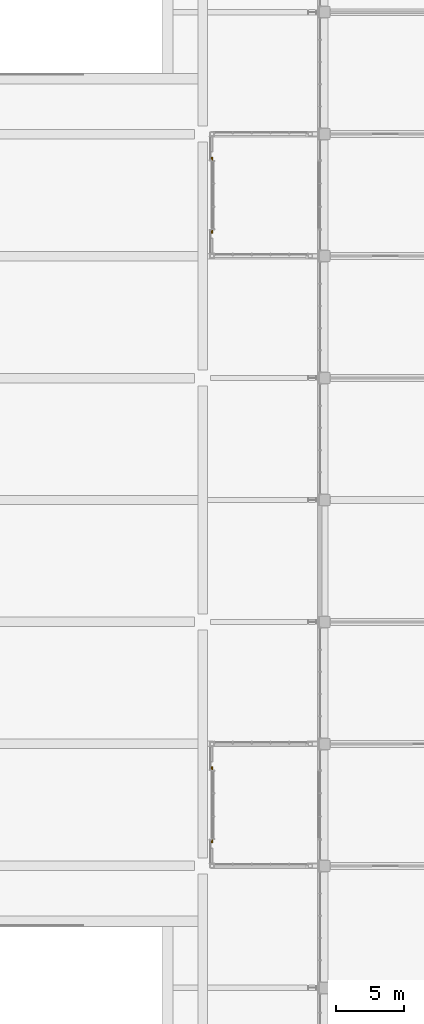
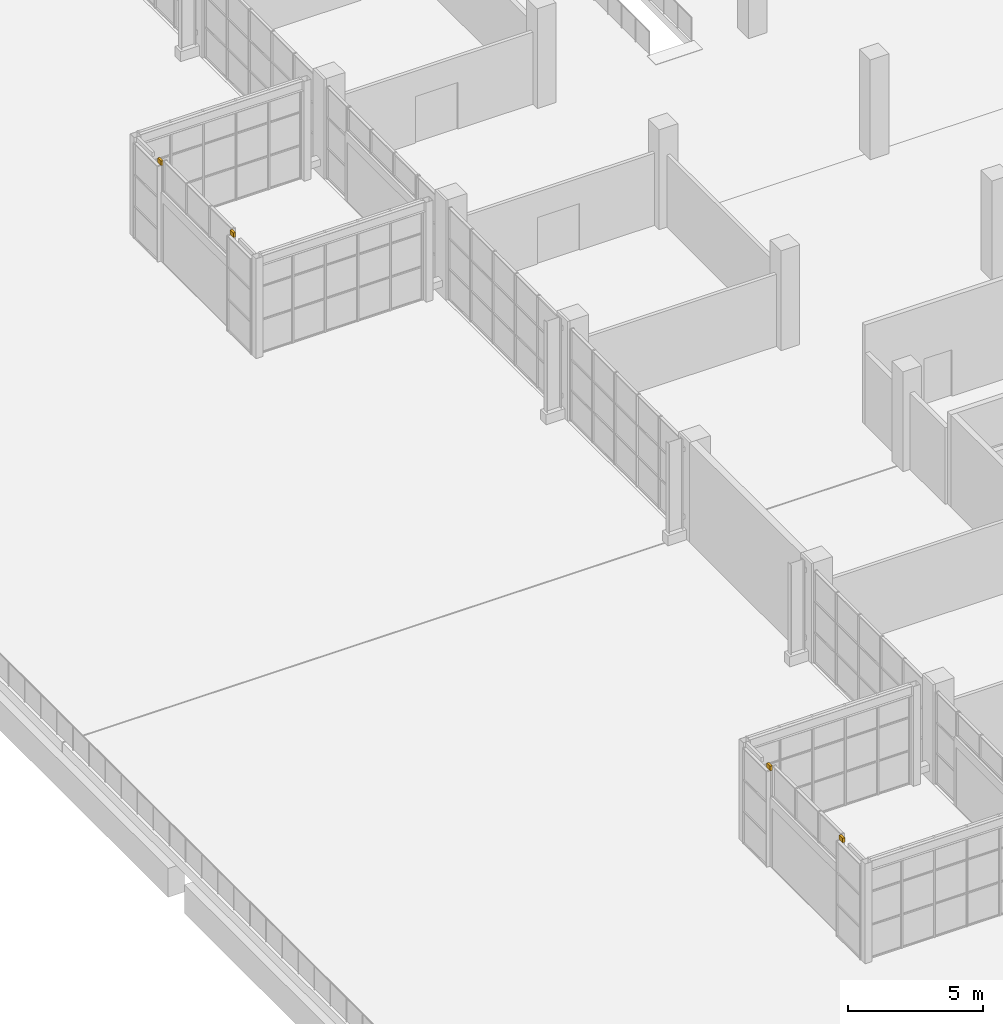
# One storey, part 168 of 168: 4 coverings.
"""IFC4 building model written with IfcOpenShell, lengths in metres."""

from ifc_helpers import new_model, si_unit, direction, frame, origin, place, context, subcontext, project, spatial, polyline, outline, extrude, material, layer, layer_set, type_object, element, save


model = new_model("IFC4")

# Units and contexts
model_context = context("Model", 3, precision=1e-05, world=origin(), true_north=direction((0.0, 1.0)))
body_context = subcontext(model_context, "Body", "Model", "MODEL_VIEW")
ifc_project = project(units=[si_unit("LENGTHUNIT", "METRE"), si_unit("AREAUNIT", "SQUARE_METRE"), si_unit("VOLUMEUNIT", "CUBIC_METRE"), si_unit("PLANEANGLEUNIT", "RADIAN"), si_unit("MASSUNIT", "GRAM", prefix="KILO")], contexts=[model_context])

# Site, building, storey
site_placement = place(None, origin())
site = spatial("IfcSite", under=ifc_project, at=site_placement, CompositionType="ELEMENT")
building_placement = place(site_placement, origin())
building = spatial("IfcBuilding", under=site, at=building_placement, Name="Silverbay Arena", CompositionType="ELEMENT")
storey_placement = place(building_placement, frame((0.0, 0.0, 7.0)))
storey = spatial("IfcBuildingStorey", under=building, at=storey_placement, Name="L01", CompositionType="ELEMENT", Elevation=7.0)

# Coverings
ifc_material = material(Name="Aluminium composite cladding", Category="aluminium")
ifc_layer = layer(ifc_material, 0.10009765625)
ifc_layer_set = layer_set([ifc_layer], Name="Aluminium composite cladding")
covering_type = type_object("IfcCoveringType", Name="Canopy band cladding 100", PredefinedType="CLADDING", material=ifc_layer_set)
covering_1_placement = place(storey_placement, frame((0.0, 0.0, 4.300048828125)))
element("IfcCovering", 1, at=covering_1_placement, inside=storey, type_object=covering_type, Name="Canopy band cladding", PredefinedType="CLADDING", context=body_context, shape_type="SweptSolid", body=[
    extrude(outline(polyline([(18.64990234375, 55.699951171875), (18.75, 55.699951171875), (18.75, 55.949951171875), (18.64990234375, 55.949951171875), (18.64990234375, 55.699951171875)])), origin(), (0.0, 0.0, 1.0), 0.199951171875),
])
covering_2_placement = place(storey_placement, frame((0.0, 0.0, 4.300048828125)))
element("IfcCovering", 2, at=covering_2_placement, inside=storey, type_object=covering_type, Name="Canopy band cladding", PredefinedType="CLADDING", context=body_context, shape_type="SweptSolid", body=[
    extrude(outline(polyline([(18.64990234375, 61.050048828125), (18.75, 61.050048828125), (18.75, 61.300048828125), (18.64990234375, 61.300048828125), (18.64990234375, 61.050048828125)])), origin(), (0.0, 0.0, 1.0), 0.199951171875),
])
covering_3_placement = place(storey_placement, frame((0.0, 0.0, 4.300048828125)))
element("IfcCovering", 3, at=covering_3_placement, inside=storey, type_object=covering_type, Name="Canopy band cladding", PredefinedType="CLADDING", context=body_context, shape_type="SweptSolid", body=[
    extrude(outline(polyline([(18.64990234375, 100.699951171875), (18.75, 100.699951171875), (18.75, 100.949951171875), (18.64990234375, 100.949951171875), (18.64990234375, 100.699951171875)])), origin(), (0.0, 0.0, 1.0), 0.199951171875),
])
covering_4_placement = place(storey_placement, frame((0.0, 0.0, 4.300048828125)))
element("IfcCovering", 4, at=covering_4_placement, inside=storey, type_object=covering_type, Name="Canopy band cladding", PredefinedType="CLADDING", context=body_context, shape_type="SweptSolid", body=[
    extrude(outline(polyline([(18.64990234375, 106.050048828125), (18.75, 106.050048828125), (18.75, 106.300048828125), (18.64990234375, 106.300048828125), (18.64990234375, 106.050048828125)])), origin(), (0.0, 0.0, 1.0), 0.199951171875),
])

save(model, "model.ifc")
